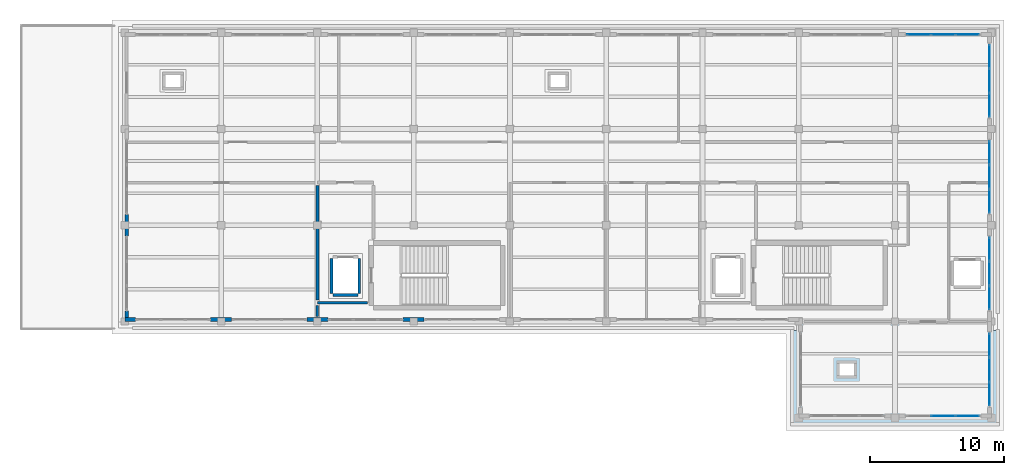
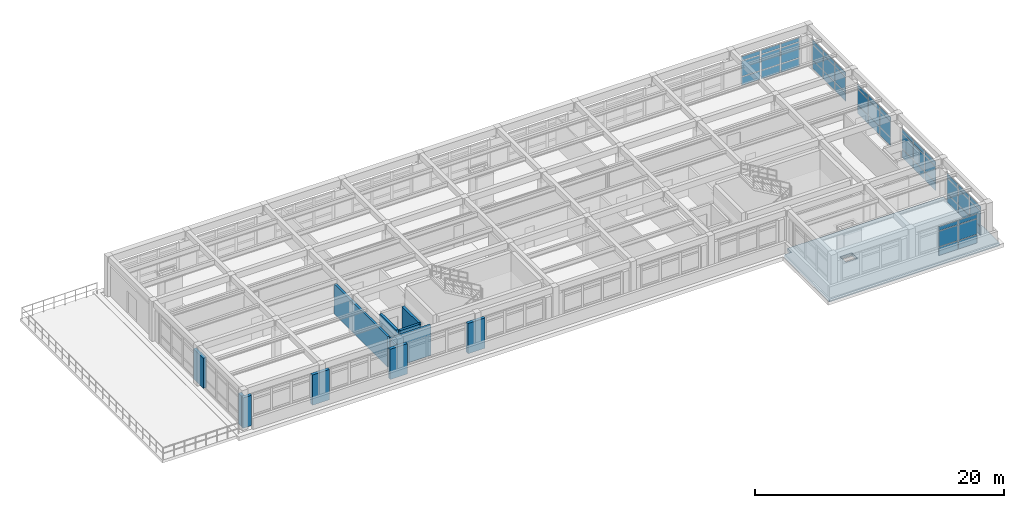
# One storey, part 14 of 21: 51 plates, 12 walls, 1 slab, 6 elements without a shape of their own.
"""IFC4 building model written with IfcOpenShell, lengths in metres."""

from ifc_helpers import new_model, si_unit, direction, frame, frame_2d, origin, origin_2d, place, context, subcontext, project, spatial, polyline, rectangle, outline, extrude, material, layer, layer_set, type_object, element, aggregate, save


model = new_model("IFC4")

# Units and contexts
model_context = context("Model", 3, precision=1e-05, world=origin(), true_north=direction((0.0, 1.0)))
body_context = subcontext(model_context, "Body", "Model", "MODEL_VIEW")
ifc_project = project(units=[si_unit("LENGTHUNIT", "METRE"), si_unit("AREAUNIT", "SQUARE_METRE"), si_unit("VOLUMEUNIT", "CUBIC_METRE"), si_unit("PLANEANGLEUNIT", "RADIAN"), si_unit("MASSUNIT", "GRAM", prefix="KILO")], contexts=[model_context])

# Site, building, storey
site_placement = place(None, origin())
site = spatial("IfcSite", under=ifc_project, at=site_placement, CompositionType="ELEMENT")
building_placement = place(site_placement, origin())
building = spatial("IfcBuilding", under=site, at=building_placement, Name="Solenvale Faculty of Natural Sciences", CompositionType="ELEMENT")
storey_placement = place(building_placement, frame((0.0, 0.0, 31.199951171875)))
storey = spatial("IfcBuildingStorey", under=building, at=storey_placement, Name="L07", CompositionType="ELEMENT", Elevation=31.199951171875)

# Curtain wall, plates
ifc_material_1 = material(Name="Anodised bronze aluminium", Category="aluminium")
ifc_layer_1 = layer(ifc_material_1, 0.179931640625)
ifc_layer_set_1 = layer_set([ifc_layer_1], Name="Anodised bronze aluminium")
curtain_wall_type = type_object("IfcCurtainWallType", Name="CW-TWR-MOD", PredefinedType="USERDEFINED", material=ifc_layer_set_1)
curtain_wall_1_placement = place(storey_placement, origin())
curtain_wall_1 = element("IfcCurtainWall", 1, at=curtain_wall_1_placement, inside=storey, type_object=curtain_wall_type, Name="L07 Curtain Wall CW-L07-P1-E6-B2", ObjectType="UNITISED CURTAIN WALL", PredefinedType="USERDEFINED")
ifc_material_2 = material(Name="North-light skylight glass", Category="glass")
ifc_layer_2 = layer(ifc_material_2, 0.028076171875)
ifc_layer_set_2 = layer_set([ifc_layer_2], Name="North-light skylight glass")
plate_type_1 = type_object("IfcPlateType", Name="CWP-PNL-28", PredefinedType="CURTAIN_PANEL", material=ifc_layer_set_2)
plate_1_placement = place(storey_placement, frame((147.60009765625, 86.54248046875, 0.074951171875), z_axis=(0.0, 0.0, 1.0), x_axis=(1.0, 0.0, 0.0)))
plate_1 = element("IfcPlate", 2, at=plate_1_placement, type_object=plate_type_1, Name="CW-04 panel 2.1", PredefinedType="CURTAIN_PANEL", context=body_context, shape_type="SweptSolid", body=[
    extrude(rectangle(XDim=1.75830078125, YDim=0.028076171875, at=origin_2d()), origin(), (0.0, 0.0, 1.0), 0.78759765625),
])
plate_2_placement = place(storey_placement, frame((147.60009765625, 86.54248046875, 0.9375), z_axis=(0.0, 0.0, 1.0), x_axis=(1.0, 0.0, 0.0)))
plate_2 = element("IfcPlate", 3, at=plate_2_placement, type_object=plate_type_1, Name="CW-04 panel 2.2", PredefinedType="CURTAIN_PANEL", context=body_context, shape_type="SweptSolid", body=[
    extrude(rectangle(XDim=1.75830078125, YDim=0.028076171875, at=origin_2d()), origin(), (0.0, 0.0, 1.0), 1.485107421875),
])
plate_3_placement = place(storey_placement, frame((147.60009765625, 86.54248046875, 2.49755859375), z_axis=(0.0, 0.0, 1.0), x_axis=(1.0, 0.0, 0.0)))
plate_3 = element("IfcPlate", 4, at=plate_3_placement, type_object=plate_type_1, Name="CW-04 panel 2.3", PredefinedType="CURTAIN_PANEL", context=body_context, shape_type="SweptSolid", body=[
    extrude(rectangle(XDim=1.75830078125, YDim=0.028076171875, at=origin_2d()), origin(), (0.0, 0.0, 1.0), 0.387451171875),
])
plate_4_placement = place(storey_placement, frame((149.41455078125, 86.54248046875, 0.074951171875), z_axis=(0.0, 0.0, 1.0), x_axis=(1.0, 0.0, 0.0)))
plate_4 = element("IfcPlate", 5, at=plate_4_placement, type_object=plate_type_1, Name="CW-04 panel 3.1", PredefinedType="CURTAIN_PANEL", context=body_context, shape_type="SweptSolid", body=[
    extrude(rectangle(XDim=1.720947265625, YDim=0.028076171875, at=origin_2d()), origin(), (0.0, 0.0, 1.0), 0.78759765625),
])
plate_5_placement = place(storey_placement, frame((149.41455078125, 86.54248046875, 0.9375), z_axis=(0.0, 0.0, 1.0), x_axis=(1.0, 0.0, 0.0)))
plate_5 = element("IfcPlate", 6, at=plate_5_placement, type_object=plate_type_1, Name="CW-04 panel 3.2", PredefinedType="CURTAIN_PANEL", context=body_context, shape_type="SweptSolid", body=[
    extrude(rectangle(XDim=1.720947265625, YDim=0.028076171875, at=origin_2d()), origin(), (0.0, 0.0, 1.0), 1.485107421875),
])
plate_6_placement = place(storey_placement, frame((149.41455078125, 86.54248046875, 2.49755859375), z_axis=(0.0, 0.0, 1.0), x_axis=(1.0, 0.0, 0.0)))
plate_6 = element("IfcPlate", 7, at=plate_6_placement, type_object=plate_type_1, Name="CW-04 panel 3.3", PredefinedType="CURTAIN_PANEL", context=body_context, shape_type="SweptSolid", body=[
    extrude(rectangle(XDim=1.720947265625, YDim=0.028076171875, at=origin_2d()), origin(), (0.0, 0.0, 1.0), 0.387451171875),
])
aggregate(curtain_wall_1, [plate_1, plate_2, plate_3, plate_4, plate_5, plate_6])

curtain_wall_2_placement = place(storey_placement, origin())
curtain_wall_2 = element("IfcCurtainWall", 8, at=curtain_wall_2_placement, inside=storey, type_object=curtain_wall_type, Name="L07 Curtain Wall CW-L07-P1-E7-B1", ObjectType="UNITISED CURTAIN WALL", PredefinedType="USERDEFINED")
plate_7_placement = place(storey_placement, frame((151.0576171875, 88.185302734375, 0.074951171875), z_axis=(0.0, 0.0, 1.0), x_axis=(0.0, 1.0, 0.0)))
plate_7 = element("IfcPlate", 9, at=plate_7_placement, type_object=plate_type_1, Name="CW-04 panel 1.1", PredefinedType="CURTAIN_PANEL", context=body_context, shape_type="SweptSolid", body=[
    extrude(rectangle(XDim=1.720947265625, YDim=0.028076171875, at=origin_2d()), origin(), (0.0, 0.0, 1.0), 0.78759765625),
])
plate_8_placement = place(storey_placement, frame((151.0576171875, 88.185302734375, 0.9375), z_axis=(0.0, 0.0, 1.0), x_axis=(0.0, 1.0, 0.0)))
plate_8 = element("IfcPlate", 10, at=plate_8_placement, type_object=plate_type_1, Name="CW-04 panel 1.2", PredefinedType="CURTAIN_PANEL", context=body_context, shape_type="SweptSolid", body=[
    extrude(rectangle(XDim=1.720947265625, YDim=0.028076171875, at=origin_2d()), origin(), (0.0, 0.0, 1.0), 1.485107421875),
])
plate_9_placement = place(storey_placement, frame((151.0576171875, 88.185302734375, 2.49755859375), z_axis=(0.0, 0.0, 1.0), x_axis=(0.0, 1.0, 0.0)))
plate_9 = element("IfcPlate", 11, at=plate_9_placement, type_object=plate_type_1, Name="CW-04 panel 1.3", PredefinedType="CURTAIN_PANEL", context=body_context, shape_type="SweptSolid", body=[
    extrude(rectangle(XDim=1.720947265625, YDim=0.028076171875, at=origin_2d()), origin(), (0.0, 0.0, 1.0), 0.387451171875),
])
plate_10_placement = place(storey_placement, frame((151.0576171875, 90.0, 0.074951171875), z_axis=(0.0, 0.0, 1.0), x_axis=(0.0, 1.0, 0.0)))
plate_10 = element("IfcPlate", 12, at=plate_10_placement, type_object=plate_type_1, Name="CW-04 panel 2.1", PredefinedType="CURTAIN_PANEL", context=body_context, shape_type="SweptSolid", body=[
    extrude(rectangle(XDim=1.75830078125, YDim=0.028076171875, at=origin_2d()), origin(), (0.0, 0.0, 1.0), 0.78759765625),
])
plate_11_placement = place(storey_placement, frame((151.0576171875, 90.0, 0.9375), z_axis=(0.0, 0.0, 1.0), x_axis=(0.0, 1.0, 0.0)))
plate_11 = element("IfcPlate", 13, at=plate_11_placement, type_object=plate_type_1, Name="CW-04 panel 2.2", PredefinedType="CURTAIN_PANEL", context=body_context, shape_type="SweptSolid", body=[
    extrude(rectangle(XDim=1.75830078125, YDim=0.028076171875, at=origin_2d()), origin(), (0.0, 0.0, 1.0), 1.485107421875),
])
plate_12_placement = place(storey_placement, frame((151.0576171875, 90.0, 2.49755859375), z_axis=(0.0, 0.0, 1.0), x_axis=(0.0, 1.0, 0.0)))
plate_12 = element("IfcPlate", 14, at=plate_12_placement, type_object=plate_type_1, Name="CW-04 panel 2.3", PredefinedType="CURTAIN_PANEL", context=body_context, shape_type="SweptSolid", body=[
    extrude(rectangle(XDim=1.75830078125, YDim=0.028076171875, at=origin_2d()), origin(), (0.0, 0.0, 1.0), 0.387451171875),
])
plate_13_placement = place(storey_placement, frame((151.0576171875, 91.814697265625, 0.074951171875), z_axis=(0.0, 0.0, 1.0), x_axis=(0.0, 1.0, 0.0)))
plate_13 = element("IfcPlate", 15, at=plate_13_placement, type_object=plate_type_1, Name="CW-04 panel 3.1", PredefinedType="CURTAIN_PANEL", context=body_context, shape_type="SweptSolid", body=[
    extrude(rectangle(XDim=1.720947265625, YDim=0.028076171875, at=origin_2d()), origin(), (0.0, 0.0, 1.0), 0.78759765625),
])
plate_14_placement = place(storey_placement, frame((151.0576171875, 91.814697265625, 0.9375), z_axis=(0.0, 0.0, 1.0), x_axis=(0.0, 1.0, 0.0)))
plate_14 = element("IfcPlate", 16, at=plate_14_placement, type_object=plate_type_1, Name="CW-04 panel 3.2", PredefinedType="CURTAIN_PANEL", context=body_context, shape_type="SweptSolid", body=[
    extrude(rectangle(XDim=1.720947265625, YDim=0.028076171875, at=origin_2d()), origin(), (0.0, 0.0, 1.0), 1.485107421875),
])
plate_15_placement = place(storey_placement, frame((151.0576171875, 91.814697265625, 2.49755859375), z_axis=(0.0, 0.0, 1.0), x_axis=(0.0, 1.0, 0.0)))
plate_15 = element("IfcPlate", 17, at=plate_15_placement, type_object=plate_type_1, Name="CW-04 panel 3.3", PredefinedType="CURTAIN_PANEL", context=body_context, shape_type="SweptSolid", body=[
    extrude(rectangle(XDim=1.720947265625, YDim=0.028076171875, at=origin_2d()), origin(), (0.0, 0.0, 1.0), 0.387451171875),
])
aggregate(curtain_wall_2, [plate_7, plate_8, plate_9, plate_10, plate_11, plate_12, plate_13, plate_14, plate_15])

curtain_wall_3_placement = place(storey_placement, origin())
curtain_wall_3 = element("IfcCurtainWall", 18, at=curtain_wall_3_placement, inside=storey, type_object=curtain_wall_type, Name="L07 Curtain Wall CW-L07-P1-E1-B1", ObjectType="UNITISED CURTAIN WALL", PredefinedType="USERDEFINED")
ifc_material_3 = material(Name="Triple low-E insulated glass", Category="glass")
ifc_layer_3 = layer(ifc_material_3, 0.035888671875)
ifc_layer_set_3 = layer_set([ifc_layer_3], Name="Triple low-E insulated glass")
plate_type_2 = type_object("IfcPlateType", Name="CWP-PNL-36", PredefinedType="CURTAIN_PANEL", material=ifc_layer_set_3)
plate_16_placement = place(storey_placement, frame((151.0576171875, 95.385498046875, 0.074951171875), z_axis=(0.0, 0.0, 1.0), x_axis=(0.0, 1.0, 0.0)))
plate_16 = element("IfcPlate", 19, at=plate_16_placement, type_object=plate_type_2, Name="CW-04 panel 1.1", PredefinedType="CURTAIN_PANEL", context=body_context, shape_type="SweptSolid", body=[
    extrude(rectangle(XDim=1.720947265625, YDim=0.035888671875, at=origin_2d()), origin(), (0.0, 0.0, 1.0), 0.78759765625),
])
plate_17_placement = place(storey_placement, frame((151.0576171875, 95.385498046875, 0.9375), z_axis=(0.0, 0.0, 1.0), x_axis=(0.0, 1.0, 0.0)))
plate_17 = element("IfcPlate", 20, at=plate_17_placement, type_object=plate_type_2, Name="CW-04 panel 1.2", PredefinedType="CURTAIN_PANEL", context=body_context, shape_type="SweptSolid", body=[
    extrude(rectangle(XDim=1.720947265625, YDim=0.035888671875, at=origin_2d()), origin(), (0.0, 0.0, 1.0), 1.485107421875),
])
plate_18_placement = place(storey_placement, frame((151.0576171875, 95.385498046875, 2.49755859375), z_axis=(0.0, 0.0, 1.0), x_axis=(0.0, 1.0, 0.0)))
plate_18 = element("IfcPlate", 21, at=plate_18_placement, type_object=plate_type_2, Name="CW-04 panel 1.3", PredefinedType="CURTAIN_PANEL", context=body_context, shape_type="SweptSolid", body=[
    extrude(rectangle(XDim=1.720947265625, YDim=0.035888671875, at=origin_2d()), origin(), (0.0, 0.0, 1.0), 0.387451171875),
])
plate_19_placement = place(storey_placement, frame((151.0576171875, 97.199951171875, 0.074951171875), z_axis=(0.0, 0.0, 1.0), x_axis=(0.0, 1.0, 0.0)))
plate_19 = element("IfcPlate", 22, at=plate_19_placement, type_object=plate_type_2, Name="CW-04 panel 2.1", PredefinedType="CURTAIN_PANEL", context=body_context, shape_type="SweptSolid", body=[
    extrude(rectangle(XDim=1.75830078125, YDim=0.035888671875, at=origin_2d()), origin(), (0.0, 0.0, 1.0), 0.78759765625),
])
plate_20_placement = place(storey_placement, frame((151.0576171875, 97.199951171875, 0.9375), z_axis=(0.0, 0.0, 1.0), x_axis=(0.0, 1.0, 0.0)))
plate_20 = element("IfcPlate", 23, at=plate_20_placement, type_object=plate_type_2, Name="CW-04 panel 2.2", PredefinedType="CURTAIN_PANEL", context=body_context, shape_type="SweptSolid", body=[
    extrude(rectangle(XDim=1.75830078125, YDim=0.035888671875, at=origin_2d()), origin(), (0.0, 0.0, 1.0), 1.485107421875),
])
plate_21_placement = place(storey_placement, frame((151.0576171875, 97.199951171875, 2.49755859375), z_axis=(0.0, 0.0, 1.0), x_axis=(0.0, 1.0, 0.0)))
plate_21 = element("IfcPlate", 24, at=plate_21_placement, type_object=plate_type_2, Name="CW-04 panel 2.3", PredefinedType="CURTAIN_PANEL", context=body_context, shape_type="SweptSolid", body=[
    extrude(rectangle(XDim=1.75830078125, YDim=0.035888671875, at=origin_2d()), origin(), (0.0, 0.0, 1.0), 0.387451171875),
])
plate_22_placement = place(storey_placement, frame((151.0576171875, 99.0146484375, 0.074951171875), z_axis=(0.0, 0.0, 1.0), x_axis=(0.0, 1.0, 0.0)))
plate_22 = element("IfcPlate", 25, at=plate_22_placement, type_object=plate_type_2, Name="CW-04 panel 3.1", PredefinedType="CURTAIN_PANEL", context=body_context, shape_type="SweptSolid", body=[
    extrude(rectangle(XDim=1.720947265625, YDim=0.035888671875, at=origin_2d()), origin(), (0.0, 0.0, 1.0), 0.78759765625),
])
plate_23_placement = place(storey_placement, frame((151.0576171875, 99.0146484375, 0.9375), z_axis=(0.0, 0.0, 1.0), x_axis=(0.0, 1.0, 0.0)))
plate_23 = element("IfcPlate", 26, at=plate_23_placement, type_object=plate_type_2, Name="CW-04 panel 3.2", PredefinedType="CURTAIN_PANEL", context=body_context, shape_type="SweptSolid", body=[
    extrude(rectangle(XDim=1.720947265625, YDim=0.035888671875, at=origin_2d()), origin(), (0.0, 0.0, 1.0), 1.485107421875),
])
plate_24_placement = place(storey_placement, frame((151.0576171875, 99.0146484375, 2.49755859375), z_axis=(0.0, 0.0, 1.0), x_axis=(0.0, 1.0, 0.0)))
plate_24 = element("IfcPlate", 27, at=plate_24_placement, type_object=plate_type_2, Name="CW-04 panel 3.3", PredefinedType="CURTAIN_PANEL", context=body_context, shape_type="SweptSolid", body=[
    extrude(rectangle(XDim=1.720947265625, YDim=0.035888671875, at=origin_2d()), origin(), (0.0, 0.0, 1.0), 0.387451171875),
])
aggregate(curtain_wall_3, [plate_16, plate_17, plate_18, plate_19, plate_20, plate_21, plate_22, plate_23, plate_24])

curtain_wall_4_placement = place(storey_placement, origin())
curtain_wall_4 = element("IfcCurtainWall", 28, at=curtain_wall_4_placement, inside=storey, type_object=curtain_wall_type, Name="L07 Curtain Wall CW-L07-P1-E1-B2", ObjectType="UNITISED CURTAIN WALL", PredefinedType="USERDEFINED")
ifc_layer_4 = layer(ifc_material_3, 0.0400390625)
ifc_layer_set_4 = layer_set([ifc_layer_4], Name="Triple low-E insulated glass")
plate_type_3 = type_object("IfcPlateType", Name="CWP-PNL-40", PredefinedType="CURTAIN_PANEL", material=ifc_layer_set_4)
plate_25_placement = place(storey_placement, frame((151.0576171875, 102.58544921875, 0.074951171875), z_axis=(0.0, 0.0, 1.0), x_axis=(0.0, 1.0, 0.0)))
plate_25 = element("IfcPlate", 29, at=plate_25_placement, type_object=plate_type_3, Name="CW-04 panel 1.1", PredefinedType="CURTAIN_PANEL", context=body_context, shape_type="SweptSolid", body=[
    extrude(rectangle(XDim=1.720947265625, YDim=0.0400390625, at=origin_2d()), origin(), (0.0, 0.0, 1.0), 0.78759765625),
])
plate_26_placement = place(storey_placement, frame((151.0576171875, 102.58544921875, 0.9375), z_axis=(0.0, 0.0, 1.0), x_axis=(0.0, 1.0, 0.0)))
plate_26 = element("IfcPlate", 30, at=plate_26_placement, type_object=plate_type_3, Name="CW-04 panel 1.2", PredefinedType="CURTAIN_PANEL", context=body_context, shape_type="SweptSolid", body=[
    extrude(rectangle(XDim=1.720947265625, YDim=0.0400390625, at=origin_2d()), origin(), (0.0, 0.0, 1.0), 1.485107421875),
])
plate_27_placement = place(storey_placement, frame((151.0576171875, 102.58544921875, 2.49755859375), z_axis=(0.0, 0.0, 1.0), x_axis=(0.0, 1.0, 0.0)))
plate_27 = element("IfcPlate", 31, at=plate_27_placement, type_object=plate_type_3, Name="CW-04 panel 1.3", PredefinedType="CURTAIN_PANEL", context=body_context, shape_type="SweptSolid", body=[
    extrude(rectangle(XDim=1.720947265625, YDim=0.0400390625, at=origin_2d()), origin(), (0.0, 0.0, 1.0), 0.387451171875),
])
plate_28_placement = place(storey_placement, frame((151.0576171875, 104.39990234375, 0.074951171875), z_axis=(0.0, 0.0, 1.0), x_axis=(0.0, 1.0, 0.0)))
plate_28 = element("IfcPlate", 32, at=plate_28_placement, type_object=plate_type_3, Name="CW-04 panel 2.1", PredefinedType="CURTAIN_PANEL", context=body_context, shape_type="SweptSolid", body=[
    extrude(rectangle(XDim=1.75830078125, YDim=0.0400390625, at=origin_2d()), origin(), (0.0, 0.0, 1.0), 0.78759765625),
])
plate_29_placement = place(storey_placement, frame((151.0576171875, 104.39990234375, 0.9375), z_axis=(0.0, 0.0, 1.0), x_axis=(0.0, 1.0, 0.0)))
plate_29 = element("IfcPlate", 33, at=plate_29_placement, type_object=plate_type_3, Name="CW-04 panel 2.2", PredefinedType="CURTAIN_PANEL", context=body_context, shape_type="SweptSolid", body=[
    extrude(rectangle(XDim=1.75830078125, YDim=0.0400390625, at=origin_2d()), origin(), (0.0, 0.0, 1.0), 1.485107421875),
])
plate_30_placement = place(storey_placement, frame((151.0576171875, 104.39990234375, 2.49755859375), z_axis=(0.0, 0.0, 1.0), x_axis=(0.0, 1.0, 0.0)))
plate_30 = element("IfcPlate", 34, at=plate_30_placement, type_object=plate_type_3, Name="CW-04 panel 2.3", PredefinedType="CURTAIN_PANEL", context=body_context, shape_type="SweptSolid", body=[
    extrude(rectangle(XDim=1.75830078125, YDim=0.0400390625, at=origin_2d()), origin(), (0.0, 0.0, 1.0), 0.387451171875),
])
plate_31_placement = place(storey_placement, frame((151.0576171875, 106.214599609375, 0.074951171875), z_axis=(0.0, 0.0, 1.0), x_axis=(0.0, 1.0, 0.0)))
plate_31 = element("IfcPlate", 35, at=plate_31_placement, type_object=plate_type_3, Name="CW-04 panel 3.1", PredefinedType="CURTAIN_PANEL", context=body_context, shape_type="SweptSolid", body=[
    extrude(rectangle(XDim=1.720947265625, YDim=0.0400390625, at=origin_2d()), origin(), (0.0, 0.0, 1.0), 0.78759765625),
])
plate_32_placement = place(storey_placement, frame((151.0576171875, 106.214599609375, 0.9375), z_axis=(0.0, 0.0, 1.0), x_axis=(0.0, 1.0, 0.0)))
plate_32 = element("IfcPlate", 36, at=plate_32_placement, type_object=plate_type_3, Name="CW-04 panel 3.2", PredefinedType="CURTAIN_PANEL", context=body_context, shape_type="SweptSolid", body=[
    extrude(rectangle(XDim=1.720947265625, YDim=0.0400390625, at=origin_2d()), origin(), (0.0, 0.0, 1.0), 1.485107421875),
])
plate_33_placement = place(storey_placement, frame((151.0576171875, 106.214599609375, 2.49755859375), z_axis=(0.0, 0.0, 1.0), x_axis=(0.0, 1.0, 0.0)))
plate_33 = element("IfcPlate", 37, at=plate_33_placement, type_object=plate_type_3, Name="CW-04 panel 3.3", PredefinedType="CURTAIN_PANEL", context=body_context, shape_type="SweptSolid", body=[
    extrude(rectangle(XDim=1.720947265625, YDim=0.0400390625, at=origin_2d()), origin(), (0.0, 0.0, 1.0), 0.387451171875),
])
aggregate(curtain_wall_4, [plate_25, plate_26, plate_27, plate_28, plate_29, plate_30, plate_31, plate_32, plate_33])

curtain_wall_5_placement = place(storey_placement, origin())
curtain_wall_5 = element("IfcCurtainWall", 38, at=curtain_wall_5_placement, inside=storey, type_object=curtain_wall_type, Name="L07 Curtain Wall CW-L07-P1-E2-B1", ObjectType="UNITISED CURTAIN WALL", PredefinedType="USERDEFINED")
plate_34_placement = place(storey_placement, frame((149.41455078125, 115.0576171875, 0.074951171875), z_axis=(0.0, 0.0, 1.0), x_axis=(-1.0, 0.0, 0.0)))
plate_34 = element("IfcPlate", 39, at=plate_34_placement, type_object=plate_type_3, Name="CW-04 panel 1.1", PredefinedType="CURTAIN_PANEL", context=body_context, shape_type="SweptSolid", body=[
    extrude(rectangle(XDim=1.720947265625, YDim=0.0400390625, at=origin_2d()), origin(), (0.0, 0.0, 1.0), 0.78759765625),
])
plate_35_placement = place(storey_placement, frame((149.41455078125, 115.0576171875, 0.9375), z_axis=(0.0, 0.0, 1.0), x_axis=(-1.0, 0.0, 0.0)))
plate_35 = element("IfcPlate", 40, at=plate_35_placement, type_object=plate_type_3, Name="CW-04 panel 1.2", PredefinedType="CURTAIN_PANEL", context=body_context, shape_type="SweptSolid", body=[
    extrude(rectangle(XDim=1.720947265625, YDim=0.0400390625, at=origin_2d()), origin(), (0.0, 0.0, 1.0), 1.485107421875),
])
plate_36_placement = place(storey_placement, frame((149.41455078125, 115.0576171875, 2.49755859375), z_axis=(0.0, 0.0, 1.0), x_axis=(-1.0, 0.0, 0.0)))
plate_36 = element("IfcPlate", 41, at=plate_36_placement, type_object=plate_type_3, Name="CW-04 panel 1.3", PredefinedType="CURTAIN_PANEL", context=body_context, shape_type="SweptSolid", body=[
    extrude(rectangle(XDim=1.720947265625, YDim=0.0400390625, at=origin_2d()), origin(), (0.0, 0.0, 1.0), 0.387451171875),
])
plate_37_placement = place(storey_placement, frame((147.60009765625, 115.0576171875, 0.074951171875), z_axis=(0.0, 0.0, 1.0), x_axis=(-1.0, 0.0, 0.0)))
plate_37 = element("IfcPlate", 42, at=plate_37_placement, type_object=plate_type_3, Name="CW-04 panel 2.1", PredefinedType="CURTAIN_PANEL", context=body_context, shape_type="SweptSolid", body=[
    extrude(rectangle(XDim=1.75830078125, YDim=0.0400390625, at=origin_2d()), origin(), (0.0, 0.0, 1.0), 0.78759765625),
])
plate_38_placement = place(storey_placement, frame((147.60009765625, 115.0576171875, 0.9375), z_axis=(0.0, 0.0, 1.0), x_axis=(-1.0, 0.0, 0.0)))
plate_38 = element("IfcPlate", 43, at=plate_38_placement, type_object=plate_type_3, Name="CW-04 panel 2.2", PredefinedType="CURTAIN_PANEL", context=body_context, shape_type="SweptSolid", body=[
    extrude(rectangle(XDim=1.75830078125, YDim=0.0400390625, at=origin_2d()), origin(), (0.0, 0.0, 1.0), 1.485107421875),
])
plate_39_placement = place(storey_placement, frame((147.60009765625, 115.0576171875, 2.49755859375), z_axis=(0.0, 0.0, 1.0), x_axis=(-1.0, 0.0, 0.0)))
plate_39 = element("IfcPlate", 44, at=plate_39_placement, type_object=plate_type_3, Name="CW-04 panel 2.3", PredefinedType="CURTAIN_PANEL", context=body_context, shape_type="SweptSolid", body=[
    extrude(rectangle(XDim=1.75830078125, YDim=0.0400390625, at=origin_2d()), origin(), (0.0, 0.0, 1.0), 0.387451171875),
])
plate_40_placement = place(storey_placement, frame((145.785400390625, 115.0576171875, 0.074951171875), z_axis=(0.0, 0.0, 1.0), x_axis=(-1.0, 0.0, 0.0)))
plate_40 = element("IfcPlate", 45, at=plate_40_placement, type_object=plate_type_3, Name="CW-04 panel 3.1", PredefinedType="CURTAIN_PANEL", context=body_context, shape_type="SweptSolid", body=[
    extrude(rectangle(XDim=1.720947265625, YDim=0.0400390625, at=origin_2d()), origin(), (0.0, 0.0, 1.0), 0.78759765625),
])
plate_41_placement = place(storey_placement, frame((145.785400390625, 115.0576171875, 0.9375), z_axis=(0.0, 0.0, 1.0), x_axis=(-1.0, 0.0, 0.0)))
plate_41 = element("IfcPlate", 46, at=plate_41_placement, type_object=plate_type_3, Name="CW-04 panel 3.2", PredefinedType="CURTAIN_PANEL", context=body_context, shape_type="SweptSolid", body=[
    extrude(rectangle(XDim=1.720947265625, YDim=0.0400390625, at=origin_2d()), origin(), (0.0, 0.0, 1.0), 1.485107421875),
])
plate_42_placement = place(storey_placement, frame((145.785400390625, 115.0576171875, 2.49755859375), z_axis=(0.0, 0.0, 1.0), x_axis=(-1.0, 0.0, 0.0)))
plate_42 = element("IfcPlate", 47, at=plate_42_placement, type_object=plate_type_3, Name="CW-04 panel 3.3", PredefinedType="CURTAIN_PANEL", context=body_context, shape_type="SweptSolid", body=[
    extrude(rectangle(XDim=1.720947265625, YDim=0.0400390625, at=origin_2d()), origin(), (0.0, 0.0, 1.0), 0.387451171875),
])
aggregate(curtain_wall_5, [plate_34, plate_35, plate_36, plate_37, plate_38, plate_39, plate_40, plate_41, plate_42])

curtain_wall_6_placement = place(storey_placement, origin())
curtain_wall_6 = element("IfcCurtainWall", 48, at=curtain_wall_6_placement, inside=storey, type_object=curtain_wall_type, Name="L07 Curtain Wall CW-L07-P1-E1-B3", ObjectType="UNITISED CURTAIN WALL", PredefinedType="USERDEFINED")
ifc_layer_5 = layer(ifc_material_3, 0.0439453125)
ifc_layer_set_5 = layer_set([ifc_layer_5], Name="Triple low-E insulated glass")
plate_type_4 = type_object("IfcPlateType", Name="CWP-PNL-44", PredefinedType="CURTAIN_PANEL", material=ifc_layer_set_5)
plate_43_placement = place(storey_placement, frame((151.0576171875, 109.785400390625, 0.074951171875), z_axis=(0.0, 0.0, 1.0), x_axis=(0.0, 1.0, 0.0)))
plate_43 = element("IfcPlate", 49, at=plate_43_placement, type_object=plate_type_4, Name="CW-04 panel 1.1", PredefinedType="CURTAIN_PANEL", context=body_context, shape_type="SweptSolid", body=[
    extrude(rectangle(XDim=1.720947265625, YDim=0.0439453125, at=origin_2d()), origin(), (0.0, 0.0, 1.0), 0.78759765625),
])
plate_44_placement = place(storey_placement, frame((151.0576171875, 109.785400390625, 0.9375), z_axis=(0.0, 0.0, 1.0), x_axis=(0.0, 1.0, 0.0)))
plate_44 = element("IfcPlate", 50, at=plate_44_placement, type_object=plate_type_4, Name="CW-04 panel 1.2", PredefinedType="CURTAIN_PANEL", context=body_context, shape_type="SweptSolid", body=[
    extrude(rectangle(XDim=1.720947265625, YDim=0.0439453125, at=origin_2d()), origin(), (0.0, 0.0, 1.0), 1.485107421875),
])
plate_45_placement = place(storey_placement, frame((151.0576171875, 109.785400390625, 2.49755859375), z_axis=(0.0, 0.0, 1.0), x_axis=(0.0, 1.0, 0.0)))
plate_45 = element("IfcPlate", 51, at=plate_45_placement, type_object=plate_type_4, Name="CW-04 panel 1.3", PredefinedType="CURTAIN_PANEL", context=body_context, shape_type="SweptSolid", body=[
    extrude(rectangle(XDim=1.720947265625, YDim=0.0439453125, at=origin_2d()), origin(), (0.0, 0.0, 1.0), 0.387451171875),
])
plate_46_placement = place(storey_placement, frame((151.0576171875, 111.60009765625, 0.074951171875), z_axis=(0.0, 0.0, 1.0), x_axis=(0.0, 1.0, 0.0)))
plate_46 = element("IfcPlate", 52, at=plate_46_placement, type_object=plate_type_4, Name="CW-04 panel 2.1", PredefinedType="CURTAIN_PANEL", context=body_context, shape_type="SweptSolid", body=[
    extrude(rectangle(XDim=1.75830078125, YDim=0.0439453125, at=origin_2d()), origin(), (0.0, 0.0, 1.0), 0.78759765625),
])
plate_47_placement = place(storey_placement, frame((151.0576171875, 111.60009765625, 0.9375), z_axis=(0.0, 0.0, 1.0), x_axis=(0.0, 1.0, 0.0)))
plate_47 = element("IfcPlate", 53, at=plate_47_placement, type_object=plate_type_4, Name="CW-04 panel 2.2", PredefinedType="CURTAIN_PANEL", context=body_context, shape_type="SweptSolid", body=[
    extrude(rectangle(XDim=1.75830078125, YDim=0.0439453125, at=origin_2d()), origin(), (0.0, 0.0, 1.0), 1.485107421875),
])
plate_48_placement = place(storey_placement, frame((151.0576171875, 111.60009765625, 2.49755859375), z_axis=(0.0, 0.0, 1.0), x_axis=(0.0, 1.0, 0.0)))
plate_48 = element("IfcPlate", 54, at=plate_48_placement, type_object=plate_type_4, Name="CW-04 panel 2.3", PredefinedType="CURTAIN_PANEL", context=body_context, shape_type="SweptSolid", body=[
    extrude(rectangle(XDim=1.75830078125, YDim=0.0439453125, at=origin_2d()), origin(), (0.0, 0.0, 1.0), 0.387451171875),
])
plate_49_placement = place(storey_placement, frame((151.0576171875, 113.41455078125, 0.074951171875), z_axis=(0.0, 0.0, 1.0), x_axis=(0.0, 1.0, 0.0)))
plate_49 = element("IfcPlate", 55, at=plate_49_placement, type_object=plate_type_4, Name="CW-04 panel 3.1", PredefinedType="CURTAIN_PANEL", context=body_context, shape_type="SweptSolid", body=[
    extrude(rectangle(XDim=1.720947265625, YDim=0.0439453125, at=origin_2d()), origin(), (0.0, 0.0, 1.0), 0.78759765625),
])
plate_50_placement = place(storey_placement, frame((151.0576171875, 113.41455078125, 0.9375), z_axis=(0.0, 0.0, 1.0), x_axis=(0.0, 1.0, 0.0)))
plate_50 = element("IfcPlate", 56, at=plate_50_placement, type_object=plate_type_4, Name="CW-04 panel 3.2", PredefinedType="CURTAIN_PANEL", context=body_context, shape_type="SweptSolid", body=[
    extrude(rectangle(XDim=1.720947265625, YDim=0.0439453125, at=origin_2d()), origin(), (0.0, 0.0, 1.0), 1.485107421875),
])
plate_51_placement = place(storey_placement, frame((151.0576171875, 113.41455078125, 2.49755859375), z_axis=(0.0, 0.0, 1.0), x_axis=(0.0, 1.0, 0.0)))
plate_51 = element("IfcPlate", 57, at=plate_51_placement, type_object=plate_type_4, Name="CW-04 panel 3.3", PredefinedType="CURTAIN_PANEL", context=body_context, shape_type="SweptSolid", body=[
    extrude(rectangle(XDim=1.720947265625, YDim=0.0439453125, at=origin_2d()), origin(), (0.0, 0.0, 1.0), 0.387451171875),
])
aggregate(curtain_wall_6, [plate_43, plate_44, plate_45, plate_46, plate_47, plate_48, plate_49, plate_50, plate_51])

# Slab
ifc_material_4 = material(Name="Concrete 40 MPa", Category="concrete")
ifc_layer_6 = layer(ifc_material_4, 0.280029296875)
ifc_layer_set_6 = layer_set([ifc_layer_6], Name="Concrete 40 MPa")
slab_type = type_object("IfcSlabType", Name="SL-FLR-280", PredefinedType="FLOOR", material=ifc_layer_set_6)
slab_placement = place(storey_placement, frame((0.0, 0.0, -0.280029296875)))
element("IfcSlab", 58, at=slab_placement, inside=storey, type_object=slab_type, Name="L07 V5E Floor Slab 1.1", PredefinedType="FLOOR", context=body_context, shape_type="SweptSolid", body=[
    extrude(outline(polyline([(136.14501953125, 85.719970703125), (136.127197265625, 85.727294921875), (136.1201171875, 85.7451171875), (136.1201171875, 92.8974609375), (136.129150390625, 92.914306640625), (136.14501953125, 92.919921875), (136.780029296875, 92.919921875), (136.780029296875, 93.544921875), (136.79541015625, 93.568115234375), (151.195068359375, 93.570068359375), (151.212646484375, 93.562744140625), (151.219970703125, 93.544921875), (151.219970703125, 92.919921875), (151.85498046875, 92.919921875), (151.878173828125, 92.904541015625), (151.8798828125, 85.7451171875), (151.864501953125, 85.721923828125), (136.14501953125, 85.719970703125)]), holes=[polyline([(139.85009765625, 89.550048828125), (140.949951171875, 89.550048828125), (140.949951171875, 90.449951171875), (139.85009765625, 90.449951171875), (139.85009765625, 89.550048828125)])]), origin(), (0.0, 0.0, 1.0), 0.280029296875),
])

# Walls
ifc_material_5 = material(Name="Precast concrete 40 MPa", Category="concrete")
ifc_layer_7 = layer(ifc_material_5, 0.284912109375)
ifc_layer_set_7 = layer_set([ifc_layer_7], Name="Precast concrete 40 MPa")
wall_type_1 = type_object("IfcWallType", Name="WL-EXT-PRC-285", PredefinedType="STANDARD", material=ifc_layer_set_7)
wall_1_placement = place(storey_placement, frame((86.54248046875, 101.587890625, 0.0), z_axis=(0.0, 0.0, 1.0), x_axis=(0.0, -1.0, 0.0)))
element("IfcWall", 59, at=wall_1_placement, inside=storey, type_object=wall_type_1, Name="L07 Facade Closure Pier 3.B2-R", PredefinedType="STANDARD", context=body_context, shape_type="SweptSolid", body=[
    extrude(rectangle(XDim=1.575927734375, YDim=0.284912109375, at=frame_2d((0.7880859375, 0.0))), origin(), (0.0, 0.0, 1.0), 2.9599609375),
])
wall_2_placement = place(storey_placement, frame((86.54248046875, 94.387939453125, 0.0), z_axis=(0.0, 0.0, 1.0), x_axis=(0.0, -1.0, 0.0)))
element("IfcWall", 60, at=wall_2_placement, inside=storey, type_object=wall_type_1, Name="L07 Facade Closure Pier 3.B3-R", PredefinedType="STANDARD", context=body_context, shape_type="SweptSolid", body=[
    extrude(rectangle(XDim=0.5029296875, YDim=0.284912109375, at=frame_2d((0.25146484375, 0.0))), origin(), (0.0, 0.0, 1.0), 2.9599609375),
])
wall_3_placement = place(storey_placement, frame((86.39990234375, 93.742431640625, 0.0), z_axis=(0.0, 0.0, 1.0), x_axis=(1.0, 0.0, 0.0)))
element("IfcWall", 61, at=wall_3_placement, inside=storey, type_object=wall_type_1, Name="L07 Facade Closure Pier 4.B1-L", PredefinedType="STANDARD", context=body_context, shape_type="SweptSolid", body=[
    extrude(rectangle(XDim=0.7880859375, YDim=0.284912109375, at=frame_2d((0.39404296875, 0.0))), origin(), (0.0, 0.0, 1.0), 2.9599609375),
])
for number, where, z_axis, x_axis, name in (
    (62, (92.81201171875, 93.742431640625, 0.0), (0.0, 0.0, 1.0), (1.0, 0.0, 0.0), "L07 Facade Closure Pier 4.B1-R"),
    (63, (100.011962890625, 93.742431640625, 0.0), (0.0, 0.0, 1.0), (1.0, 0.0, 0.0), "L07 Facade Closure Pier 4.B2-R"),
):
    element("IfcWall", number, at=place(storey_placement, frame(where, z_axis=z_axis, x_axis=x_axis)), inside=storey, type_object=wall_type_1, Name=name, PredefinedType="STANDARD", context=body_context, shape_type="SweptSolid", body=[
        extrude(rectangle(XDim=1.575927734375, YDim=0.284912109375, at=frame_2d((0.7880859375, 0.0))), origin(), (0.0, 0.0, 1.0), 2.9599609375),
    ])
wall_4_placement = place(storey_placement, frame((107.2119140625, 93.742431640625, 0.0), z_axis=(0.0, 0.0, 1.0), x_axis=(1.0, 0.0, 0.0)))
element("IfcWall", 64, at=wall_4_placement, inside=storey, type_object=wall_type_1, Name="L07 Facade Closure Pier 4.B3-R", PredefinedType="STANDARD", context=body_context, shape_type="SweptSolid", body=[
    extrude(rectangle(XDim=1.576171875, YDim=0.284912109375, at=frame_2d((0.7880859375, 0.0))), origin(), (0.0, 0.0, 1.0), 2.9599609375),
])
ifc_material_6 = material(Name="Gypsum fire-rated shaftwall")
ifc_layer_8 = layer(ifc_material_6, 0.205078125)
ifc_layer_set_8 = layer_set([ifc_layer_8], Name="Gypsum fire-rated shaftwall")
wall_type_2 = type_object("IfcWallType", Name="WL-FFL-205", PredefinedType="PARTITIONING", material=ifc_layer_set_8)
wall_5_placement = place(storey_placement, frame((104.534912109375, 95.0, 0.0), z_axis=(0.0, 0.0, 1.0), x_axis=(-1.0, 0.0, 0.0)))
element("IfcWall", 65, at=wall_5_placement, inside=storey, type_object=wall_type_2, Name="L07 Firefighting Lobby C4 Partition 20", PredefinedType="PARTITIONING", context=body_context, shape_type="SweptSolid", body=[
    extrude(rectangle(XDim=3.73486328125, YDim=0.205078125, at=frame_2d((1.867431640625, 0.0))), origin(), (0.0, 0.0, 1.0), 2.9599609375),
])
wall_6_placement = place(storey_placement, frame((100.800048828125, 95.217041015625, 0.0), z_axis=(0.0, 0.0, 1.0), x_axis=(0.0, 1.0, 0.0)))
element("IfcWall", 66, at=wall_6_placement, inside=storey, type_object=wall_type_2, Name="L07 Firefighting Lobby C4 Partition 21", PredefinedType="PARTITIONING", context=body_context, shape_type="SweptSolid", body=[
    extrude(rectangle(XDim=8.56591796875, YDim=0.205078125, at=frame_2d((4.282958984375, 0.0))), origin(), (0.0, 0.0, 1.0), 2.9599609375),
])
ifc_material_7 = material(Name="Acoustic double-stud gypsum partition")
ifc_layer_9 = layer(ifc_material_7, 0.179931640625)
ifc_layer_set_9 = layer_set([ifc_layer_9], Name="Acoustic double-stud gypsum partition")
wall_type_3 = type_object("IfcWallType", Name="WL-SEM-180", PredefinedType="PARTITIONING", material=ifc_layer_set_9)
wall_7_placement = place(storey_placement, frame((100.800048828125, 94.794921875, 0.0), z_axis=(0.0, 0.0, 1.0), x_axis=(0.0, -1.0, 0.0)))
element("IfcWall", 67, at=wall_7_placement, inside=storey, type_object=wall_type_3, Name="L07 Seminar Room Partition 20", PredefinedType="PARTITIONING", context=body_context, shape_type="SweptSolid", body=[
    extrude(rectangle(XDim=0.807861328125, YDim=0.179931640625, at=frame_2d((0.40380859375, 0.0))), origin(), (0.0, 0.0, 1.0), 2.9599609375),
])
ifc_layer_10 = layer(ifc_material_4, 0.219970703125)
ifc_layer_set_10 = layer_set([ifc_layer_10], Name="Concrete 40 MPa")
wall_type_4 = type_object("IfcWallType", Name="WL-SHF-220", PredefinedType="STANDARD", material=ifc_layer_set_10)
wall_8_placement = place(storey_placement, frame((101.97998046875, 95.570068359375, 0.0), z_axis=(0.0, 0.0, 1.0), x_axis=(1.0, 0.0, 0.0)))
element("IfcWall", 68, at=wall_8_placement, inside=storey, type_object=wall_type_4, Name="Elevator LF-01 L07 Shaft Wall S", PredefinedType="STANDARD", context=body_context, shape_type="SweptSolid", body=[
    extrude(rectangle(XDim=1.840087890625, YDim=0.219970703125, at=frame_2d((0.919921875, 0.0))), origin(), (0.0, 0.0, 1.0), 2.9599609375),
])
for number, where, z_axis, x_axis, name in (
    (69, (101.8701171875, 95.679931640625, 0.0), (0.0, 0.0, 1.0), (0.0, 1.0, 0.0), "Elevator LF-01 L07 Shaft Wall W"),
    (70, (103.929931640625, 95.679931640625, 0.0), (0.0, 0.0, 1.0), (0.0, 1.0, 0.0), "Elevator LF-01 L07 Shaft Wall E"),
):
    element("IfcWall", number, at=place(storey_placement, frame(where, z_axis=z_axis, x_axis=x_axis)), inside=storey, type_object=wall_type_4, Name=name, PredefinedType="STANDARD", context=body_context, shape_type="SweptSolid", body=[
        extrude(rectangle(XDim=2.64013671875, YDim=0.219970703125, at=frame_2d((1.320068359375, 0.0))), origin(), (0.0, 0.0, 1.0), 2.9599609375),
    ])

save(model, "model.ifc")
